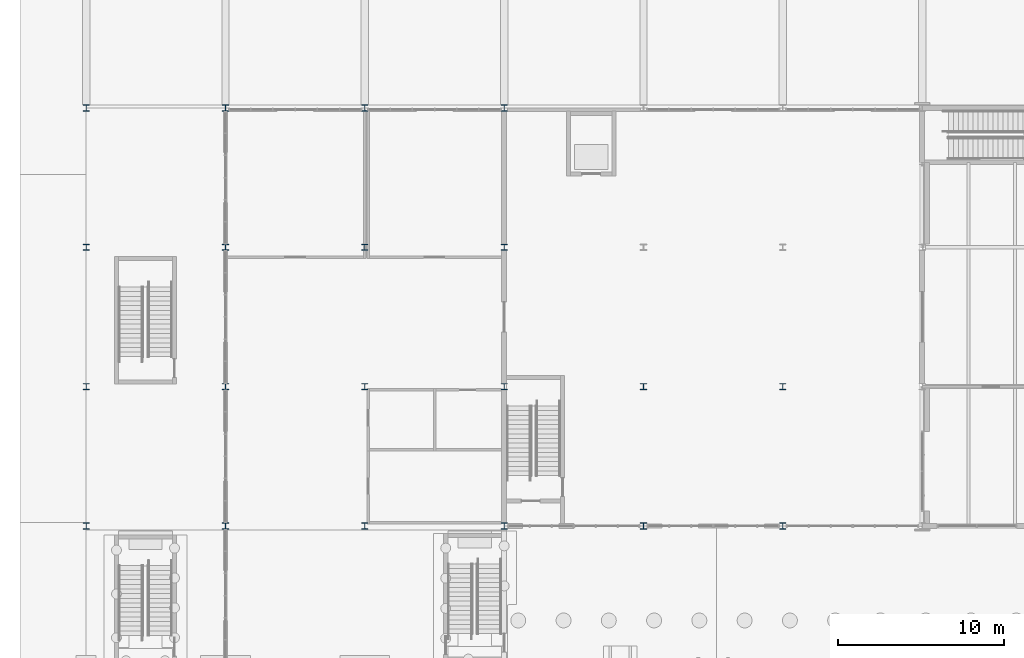
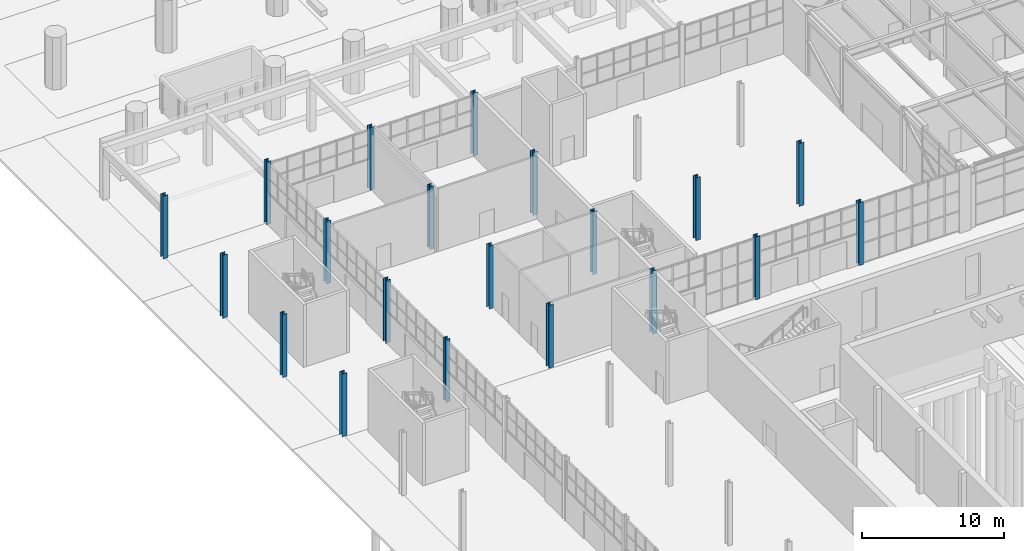
# One storey, part 25 of 127: 20 columns.
"""IFC4 building model written with IfcOpenShell, lengths in metres."""

from ifc_helpers import new_model, si_unit, direction, frame, origin, origin_2d, place, context, subcontext, project, spatial, i_section, extrude, material, material_profile, profile_set, type_object, element, save


model = new_model("IFC4")

# Units and contexts
model_context = context("Model", 3, precision=1e-05, world=origin(), true_north=direction((0.0, 1.0)))
body_context = subcontext(model_context, "Body", "Model", "MODEL_VIEW")
ifc_project = project(units=[si_unit("LENGTHUNIT", "METRE"), si_unit("AREAUNIT", "SQUARE_METRE"), si_unit("VOLUMEUNIT", "CUBIC_METRE"), si_unit("PLANEANGLEUNIT", "RADIAN"), si_unit("MASSUNIT", "GRAM", prefix="KILO")], contexts=[model_context])

# Site, building, storey
site_placement = place(None, origin())
site = spatial("IfcSite", under=ifc_project, at=site_placement, CompositionType="ELEMENT")
building_placement = place(site_placement, origin())
building = spatial("IfcBuilding", under=site, at=building_placement, Name="Ljudholm Concert House", CompositionType="ELEMENT")
storey_placement = place(building_placement, origin())
storey = spatial("IfcBuildingStorey", under=building, at=storey_placement, Name="L00", CompositionType="ELEMENT", Elevation=0.0)

# Columns
ifc_material = material(Name="Steel ASTM A992", Category="steel")
ifc_material_profile = material_profile(ifc_material, i_section(OverallWidth=0.373291015625, OverallDepth=0.373291015625, WebThickness=0.016357421875, FlangeThickness=0.026123046875, FilletRadius=0.01513671875, at=origin_2d()), Name="W14X132")
ifc_profile_set = profile_set([ifc_material_profile], Name="Steel ASTM A992")
column_type = type_object("IfcColumnType", Name="STEEL COLUMN W14X132", PredefinedType="COLUMN", material=ifc_profile_set)
for number, where, z_axis, x_axis, name in (
    (1, (4.0, 104.800048828125, 0.0), (0.0, 0.0, 1.0), (1.0, 0.0, 0.0), "Column W14X132"),
    (2, (4.0, 113.199951171875, 0.0), (0.0, 0.0, 1.0), (1.0, 0.0, 0.0), "Column W14X132"),
    (3, (4.0, 121.60009765625, 0.0), (0.0, 0.0, 1.0), (1.0, 0.0, 0.0), "Column W14X132"),
    (4, (12.39990234375, 104.800048828125, 0.0), (0.0, 0.0, 1.0), (1.0, 0.0, 0.0), "Column W14X132"),
    (5, (12.39990234375, 113.199951171875, 0.0), (0.0, 0.0, 1.0), (1.0, 0.0, 0.0), "Column W14X132"),
    (6, (12.39990234375, 121.60009765625, 0.0), (0.0, 0.0, 1.0), (1.0, 0.0, 0.0), "Column W14X132"),
    (7, (20.800048828125, 104.800048828125, 0.0), (0.0, 0.0, 1.0), (1.0, 0.0, 0.0), "Column W14X132"),
    (8, (20.800048828125, 113.199951171875, 0.0), (0.0, 0.0, 1.0), (1.0, 0.0, 0.0), "Column W14X132"),
    (9, (20.800048828125, 121.60009765625, 0.0), (0.0, 0.0, 1.0), (1.0, 0.0, 0.0), "Column W14X132"),
    (10, (29.199951171875, 104.800048828125, 0.0), (0.0, 0.0, 1.0), (1.0, 0.0, 0.0), "Column W14X132"),
    (11, (29.199951171875, 113.199951171875, 0.0), (0.0, 0.0, 1.0), (1.0, 0.0, 0.0), "Column W14X132"),
    (12, (29.199951171875, 121.60009765625, 0.0), (0.0, 0.0, 1.0), (1.0, 0.0, 0.0), "Column W14X132"),
    (13, (4.0, 130.0, 0.0), (0.0, 0.0, 1.0), (1.0, 0.0, 0.0), "Column W14X132"),
    (14, (12.39990234375, 130.0, 0.0), (0.0, 0.0, 1.0), (1.0, 0.0, 0.0), "Column W14X132"),
    (15, (20.800048828125, 130.0, 0.0), (0.0, 0.0, 1.0), (1.0, 0.0, 0.0), "Column W14X132"),
    (16, (29.199951171875, 130.0, 0.0), (0.0, 0.0, 1.0), (1.0, 0.0, 0.0), "Column W14X132"),
    (17, (37.60009765625, 104.800048828125, 0.0), (0.0, 0.0, 1.0), (1.0, 0.0, 0.0), "Column W14X132"),
    (18, (37.60009765625, 113.199951171875, 0.0), (0.0, 0.0, 1.0), (1.0, 0.0, 0.0), "Column W14X132"),
    (19, (46.0, 104.800048828125, 0.0), (0.0, 0.0, 1.0), (1.0, 0.0, 0.0), "Column W14X132"),
    (20, (46.0, 113.199951171875, 0.0), (0.0, 0.0, 1.0), (1.0, 0.0, 0.0), "Column W14X132"),
):
    element("IfcColumn", number, at=place(storey_placement, frame(where, z_axis=z_axis, x_axis=x_axis)), inside=storey, type_object=column_type, Name=name, PredefinedType="COLUMN", context=body_context, shape_type="SweptSolid", body=[
        extrude(i_section(OverallWidth=0.373291015625, OverallDepth=0.373291015625, WebThickness=0.016357421875, FlangeThickness=0.026123046875, FilletRadius=0.01513671875, at=origin_2d()), origin(), (0.0, 0.0, 1.0), 5.39990234375),
    ])

save(model, "model.ifc")
